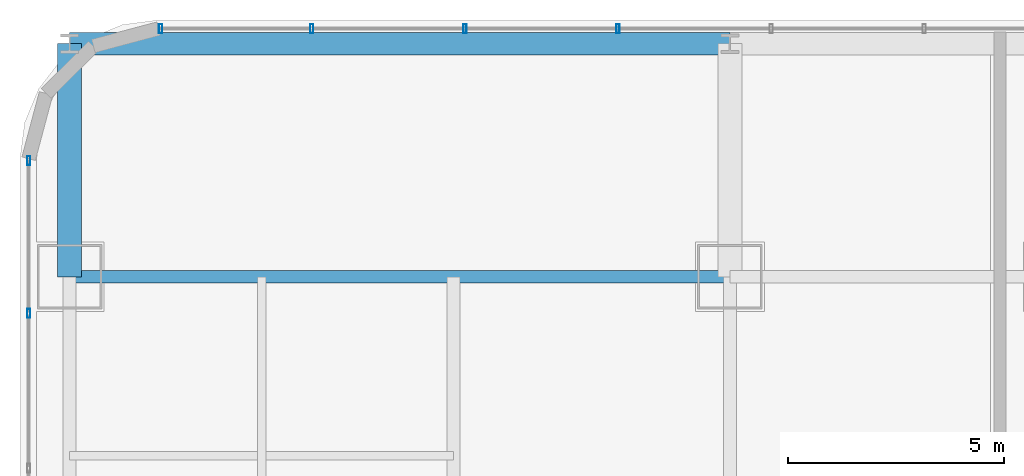
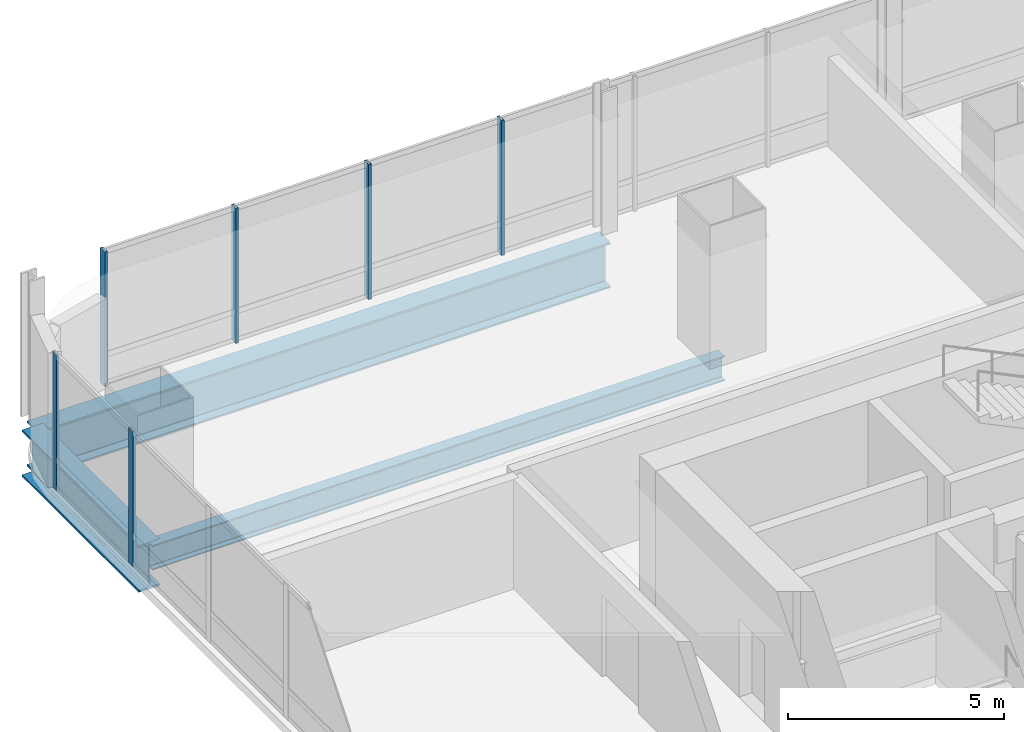
# One storey, part 20 of 35: 6 members, 3 beams, 2 elements without a shape of their own.
"""IFC4 building model written with IfcOpenShell, lengths in metres."""

from ifc_helpers import new_model, si_unit, direction, frame, origin, origin_2d, place, context, subcontext, project, spatial, hollow_rectangle, i_section, extrude, material, material_profile, profile_set, type_object, element, aggregate, save


model = new_model("IFC4")

# Units and contexts
model_context = context("Model", 3, precision=1e-05, world=origin(), true_north=direction((0.0, 1.0)))
body_context = subcontext(model_context, "Body", "Model", "MODEL_VIEW")
ifc_project = project(units=[si_unit("LENGTHUNIT", "METRE"), si_unit("AREAUNIT", "SQUARE_METRE"), si_unit("VOLUMEUNIT", "CUBIC_METRE"), si_unit("PLANEANGLEUNIT", "RADIAN"), si_unit("MASSUNIT", "GRAM", prefix="KILO")], contexts=[model_context])

# Site, building, storey
site_placement = place(None, origin())
site = spatial("IfcSite", under=ifc_project, at=site_placement, CompositionType="ELEMENT")
building_placement = place(site_placement, origin())
building = spatial("IfcBuilding", under=site, at=building_placement, Name="Punatoya Terracotta Tower", CompositionType="ELEMENT")
storey_placement = place(building_placement, frame((0.0, 0.0, 113.25)))
storey = spatial("IfcBuildingStorey", under=building, at=storey_placement, Name="L26", CompositionType="ELEMENT", Elevation=113.25)

# Beams
ifc_material_1 = material(Name="Steel S355", Category="steel")
ifc_material_profile_1 = material_profile(ifc_material_1, i_section(OverallWidth=0.300048828125, OverallDepth=0.699951171875, WebThickness=0.01708984375, FlangeThickness=0.031982421875, FilletRadius=0.01806640625, at=origin_2d()))
ifc_profile_set_1 = profile_set([ifc_material_profile_1], Name="Steel S355")
beam_type_1 = type_object("IfcBeamType", Name="BM-PRI-700", PredefinedType="BEAM", material=ifc_profile_set_1)
beam_1_placement = place(storey_placement, frame((-19.10009765625, 17.5, -0.590087890625), z_axis=(1.0, 0.0, 0.0), x_axis=(0.0, 1.0, 0.0)))
element("IfcBeam", 1, at=beam_1_placement, inside=storey, type_object=beam_type_1, Name="BM-L26-RG-N1", PredefinedType="BEAM", context=body_context, shape_type="SweptSolid", body=[
    extrude(i_section(OverallWidth=0.300048828125, OverallDepth=0.699951171875, WebThickness=0.01708984375, FlangeThickness=0.031982421875, FilletRadius=0.01806640625, at=origin_2d()), origin(), (0.0, 0.0, 1.0), 15.300048828125),
])
ifc_material_2 = material(Name="Steel S460", Category="steel")
ifc_material_profile_2 = material_profile(ifc_material_2, i_section(OverallWidth=0.56005859375, OverallDepth=1.320068359375, WebThickness=0.035888671875, FlangeThickness=0.054931640625, FilletRadius=0.01806640625, at=origin_2d()))
ifc_profile_set_2 = profile_set([ifc_material_profile_2], Name="Steel S460")
beam_type_2 = type_object("IfcBeamType", Name="BM-TG-BLK", PredefinedType="BEAM", material=ifc_profile_set_2)
beam_2_placement = place(storey_placement, frame((-19.10009765625, 17.5, -0.89990234375), z_axis=(0.0, 1.0, 0.0), x_axis=(-1.0, 0.0, 0.0)))
element("IfcBeam", 2, at=beam_2_placement, inside=storey, type_object=beam_type_2, Name="BM-L26-CANT-N1", PredefinedType="BEAM", context=body_context, shape_type="SweptSolid", body=[
    extrude(i_section(OverallWidth=0.56005859375, OverallDepth=1.320068359375, WebThickness=0.035888671875, FlangeThickness=0.054931640625, FilletRadius=0.01806640625, at=origin_2d()), origin(), (0.0, 0.0, 1.0), 5.39990234375),
])
ifc_material_profile_3 = material_profile(ifc_material_2, i_section(OverallWidth=0.52001953125, OverallDepth=1.280029296875, WebThickness=0.031982421875, FlangeThickness=0.050048828125, FilletRadius=0.01806640625, at=origin_2d()))
ifc_profile_set_3 = profile_set([ifc_material_profile_3], Name="Steel S460")
beam_type_3 = type_object("IfcBeamType", Name="BM-TG-NCK", PredefinedType="BEAM", material=ifc_profile_set_3)
beam_3_placement = place(storey_placement, frame((-19.10009765625, 22.89990234375, -0.8798828125), z_axis=(1.0, 0.0, 0.0), x_axis=(0.0, 1.0, 0.0)))
element("IfcBeam", 3, at=beam_3_placement, inside=storey, type_object=beam_type_3, Name="BM-L26-PER-N1", PredefinedType="BEAM", context=body_context, shape_type="SweptSolid", body=[
    extrude(i_section(OverallWidth=0.52001953125, OverallDepth=1.280029296875, WebThickness=0.031982421875, FlangeThickness=0.050048828125, FilletRadius=0.01806640625, at=origin_2d()), origin(), (0.0, 0.0, 1.0), 15.300048828125),
])

# Curtain wall, members
ifc_material_3 = material(Name="Aluminium 6063-T6 + Double Low-E Glass", Category="aluminium")
curtain_wall_type = type_object("IfcCurtainWallType", Name="CW-M1", PredefinedType="NOTDEFINED", material=ifc_material_3)
curtain_wall_1_placement = place(storey_placement, origin())
curtain_wall_1 = element("IfcCurtainWall", 4, at=curtain_wall_1_placement, inside=storey, type_object=curtain_wall_type, Name="L26 Curtain Wall CW-L26-N08-1", PredefinedType="NOTDEFINED")
ifc_material_4 = material(Name="Aluminium 6063-T6", Category="aluminium")
ifc_material_profile_4 = material_profile(ifc_material_4, hollow_rectangle(XDim=0.074951171875, YDim=0.2099609375, WallThickness=0.00439453125, at=origin_2d()))
ifc_profile_set_4 = profile_set([ifc_material_profile_4], Name="Aluminium 6063-T6")
member_type = type_object("IfcMemberType", Name="CW-MUL-M1", PredefinedType="MULLION", material=ifc_profile_set_4)
member_1_placement = place(storey_placement, frame((-6.390869140625, 23.25, 0.0), z_axis=(0.0, 0.0, 1.0), x_axis=(1.0, 0.0, 0.0)))
member_1 = element("IfcMember", 5, at=member_1_placement, type_object=member_type, Name="CW-L26-N08-1 Mullion 07", PredefinedType="MULLION", context=body_context, shape_type="SweptSolid", body=[
    extrude(hollow_rectangle(XDim=0.074951171875, YDim=0.2099609375, WallThickness=0.00439453125, at=origin_2d()), origin(), (0.0, 0.0, 1.0), 3.81005859375),
])
member_2_placement = place(storey_placement, frame((-9.939453125, 23.25, 0.0), z_axis=(0.0, 0.0, 1.0), x_axis=(1.0, 0.0, 0.0)))
member_2 = element("IfcMember", 6, at=member_2_placement, type_object=member_type, Name="CW-L26-N08-1 Mullion 08", PredefinedType="MULLION", context=body_context, shape_type="SweptSolid", body=[
    extrude(hollow_rectangle(XDim=0.074951171875, YDim=0.2099609375, WallThickness=0.00439453125, at=origin_2d()), origin(), (0.0, 0.0, 1.0), 3.81005859375),
])
member_3_placement = place(storey_placement, frame((-13.48828125, 23.25, 0.0), z_axis=(0.0, 0.0, 1.0), x_axis=(1.0, 0.0, 0.0)))
member_3 = element("IfcMember", 7, at=member_3_placement, type_object=member_type, Name="CW-L26-N08-1 Mullion 09", PredefinedType="MULLION", context=body_context, shape_type="SweptSolid", body=[
    extrude(hollow_rectangle(XDim=0.074951171875, YDim=0.2099609375, WallThickness=0.00439453125, at=origin_2d()), origin(), (0.0, 0.0, 1.0), 3.81005859375),
])
member_4_placement = place(storey_placement, frame((-16.991943359375, 23.25, 0.0), z_axis=(0.0, 0.0, 1.0), x_axis=(1.0, 0.0, 0.0)))
member_4 = element("IfcMember", 8, at=member_4_placement, type_object=member_type, Name="CW-L26-N08-1 Mullion 10", PredefinedType="MULLION", context=body_context, shape_type="SweptSolid", body=[
    extrude(hollow_rectangle(XDim=0.074951171875, YDim=0.2099609375, WallThickness=0.00439453125, at=origin_2d()), origin(), (0.0, 0.0, 1.0), 3.81005859375),
])
aggregate(curtain_wall_1, [member_1, member_2, member_3, member_4])

curtain_wall_2_placement = place(storey_placement, origin())
curtain_wall_2 = element("IfcCurtainWall", 9, at=curtain_wall_2_placement, inside=storey, type_object=curtain_wall_type, Name="L26 Curtain Wall CW-L26-W12-1", PredefinedType="NOTDEFINED")
member_5_placement = place(storey_placement, frame((-20.050048828125, 20.19189453125, 0.0), z_axis=(0.0, 0.0, 1.0), x_axis=(1.0, 0.0, 0.0)))
member_5 = element("IfcMember", 10, at=member_5_placement, type_object=member_type, Name="CW-L26-W12-1 Mullion 00", PredefinedType="MULLION", context=body_context, shape_type="SweptSolid", body=[
    extrude(hollow_rectangle(XDim=0.074951171875, YDim=0.2099609375, WallThickness=0.00439453125, at=origin_2d()), origin(), (0.0, 0.0, 1.0), 3.81005859375),
])
member_6_placement = place(storey_placement, frame((-20.050048828125, 16.6494140625, 0.0), z_axis=(0.0, 0.0, 1.0), x_axis=(1.0, 0.0, 0.0)))
member_6 = element("IfcMember", 11, at=member_6_placement, type_object=member_type, Name="CW-L26-W12-1 Mullion 01", PredefinedType="MULLION", context=body_context, shape_type="SweptSolid", body=[
    extrude(hollow_rectangle(XDim=0.074951171875, YDim=0.2099609375, WallThickness=0.00439453125, at=origin_2d()), origin(), (0.0, 0.0, 1.0), 3.81005859375),
])
aggregate(curtain_wall_2, [member_5, member_6])

save(model, "model.ifc")
